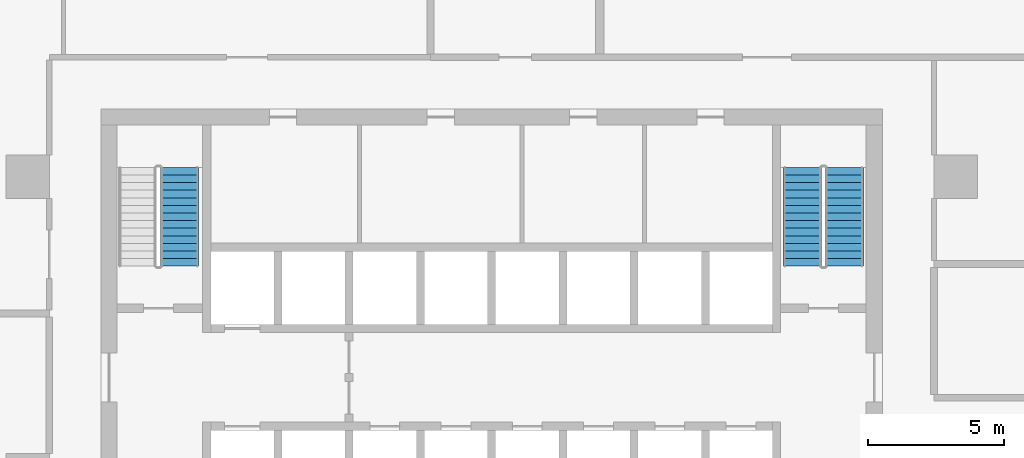
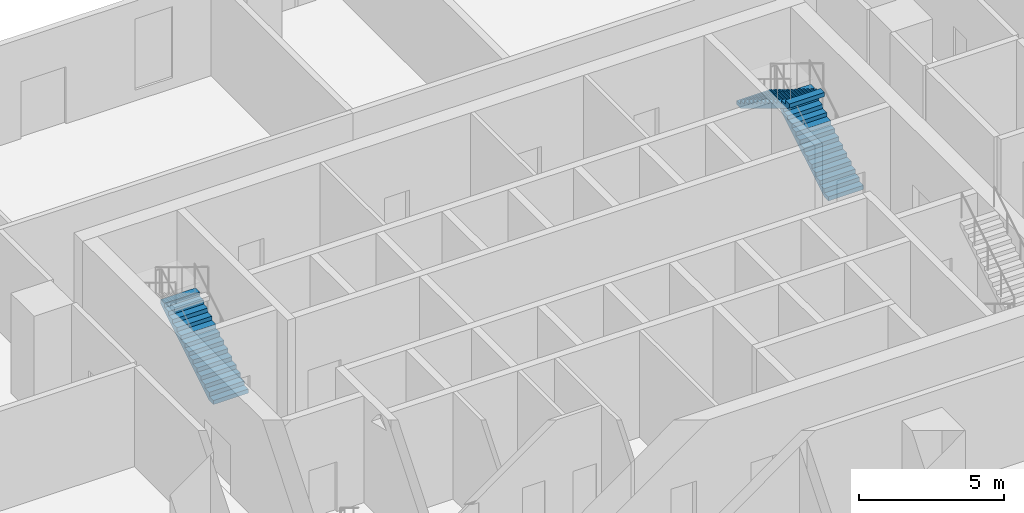
# One storey, part 11 of 15: 3 stair flights, 2 elements without a shape of their own.
"""IFC4 building model written with IfcOpenShell, lengths in metres."""

from ifc_helpers import new_model, si_unit, direction, frame, origin, place, context, subcontext, project, spatial, polyline, outline, extrude, material, type_object, element, aggregate, save


model = new_model("IFC4")

# Units and contexts
model_context = context("Model", 3, precision=1e-05, world=origin(), true_north=direction((0.0, 1.0)))
body_context = subcontext(model_context, "Body", "Model", "MODEL_VIEW")
ifc_project = project(units=[si_unit("LENGTHUNIT", "METRE"), si_unit("AREAUNIT", "SQUARE_METRE"), si_unit("VOLUMEUNIT", "CUBIC_METRE"), si_unit("PLANEANGLEUNIT", "RADIAN"), si_unit("MASSUNIT", "GRAM", prefix="KILO")], contexts=[model_context])

# Site, building, storey
site_placement = place(None, origin())
site = spatial("IfcSite", under=ifc_project, at=site_placement, CompositionType="ELEMENT")
building_placement = place(site_placement, origin())
building = spatial("IfcBuilding", under=site, at=building_placement, Name="Mopane Tessera Tower", CompositionType="ELEMENT")
storey_placement = place(building_placement, frame((0.0, 0.0, 83.800048828125)))
storey = spatial("IfcBuildingStorey", under=building, at=storey_placement, Name="L16", CompositionType="ELEMENT", Elevation=83.800048828125)

# Stair, stair flight
ifc_material_1 = material(Name="Concrete C50/60", Category="concrete")
stair_type = type_object("IfcStairType", Name="Escape stair 1400 mm, riser 171 mm", PredefinedType="HALF_TURN_STAIR", material=ifc_material_1)
stair_1_placement = place(storey_placement, origin())
stair_1 = element("IfcStair", 1, at=stair_1_placement, inside=storey, type_object=stair_type, Name="L16 Escape stair north-west", PredefinedType="HALF_TURN_STAIR")
ifc_material_2 = material(Name="Concrete C50/60", Category="concrete")
stair_flight_type = type_object("IfcStairFlightType", Name="Escape stair flight 1400 mm", PredefinedType="STRAIGHT", material=ifc_material_2)
stair_flight_1_placement = place(storey_placement, frame((-11.5, 7.699951171875, 0.0), z_axis=(0.0, 0.0, 1.0), x_axis=(0.0, 1.0, 0.0)))
stair_flight_1 = element("IfcStairFlight", 2, at=stair_flight_1_placement, type_object=stair_flight_type, Name="ST2 flight 1", NumberOfRisers=14, NumberOfTreads=13, PredefinedType="STRAIGHT", RiserHeight=0.171428571, TreadLength=0.28, context=body_context, shape_type="SweptSolid", body=[
    extrude(outline(polyline([(0.0, 0.0), (0.0, 0.17138671875), (0.280029296875, 0.17138671875), (0.280029296875, 0.3427734375), (0.56005859375, 0.3427734375), (0.56005859375, 0.514404296875), (0.840087890625, 0.514404296875), (0.840087890625, 0.685791015625), (1.1201171875, 0.685791015625), (1.1201171875, 0.857177734375), (1.39990234375, 0.857177734375), (1.39990234375, 1.028564453125), (1.679931640625, 1.028564453125), (1.679931640625, 1.199951171875), (1.9599609375, 1.199951171875), (1.9599609375, 1.371337890625), (2.239990234375, 1.371337890625), (2.239990234375, 1.54296875), (2.52001953125, 1.54296875), (2.52001953125, 1.71435546875), (2.800048828125, 1.71435546875), (2.800048828125, 1.8857421875), (3.080078125, 1.8857421875), (3.080078125, 2.05712890625), (3.360107421875, 2.05712890625), (3.360107421875, 2.228515625), (3.639892578125, 2.228515625), (3.639892578125, 2.39990234375), (3.639892578125, 2.052734375), (0.287109375, 0.0), (0.0, 0.0)])), frame((0.0, 0.699951171875, 0.0), z_axis=(0.0, -1.0, 0.0), x_axis=(1.0, 0.0, 0.0)), (0.0, 0.0, 1.0), 1.39990234375),
])
aggregate(stair_1, [stair_flight_1])

# Stair, stair flights
stair_2_placement = place(storey_placement, origin())
stair_2 = element("IfcStair", 3, at=stair_2_placement, inside=storey, type_object=stair_type, Name="L16 Escape stair north-east", PredefinedType="HALF_TURN_STAIR")
stair_flight_2_placement = place(storey_placement, frame((13.0, 7.699951171875, 0.0), z_axis=(0.0, 0.0, 1.0), x_axis=(0.0, 1.0, 0.0)))
stair_flight_2 = element("IfcStairFlight", 4, at=stair_flight_2_placement, type_object=stair_flight_type, Name="ST4 flight 1", NumberOfRisers=14, NumberOfTreads=13, PredefinedType="STRAIGHT", RiserHeight=0.171428571, TreadLength=0.28, context=body_context, shape_type="SweptSolid", body=[
    extrude(outline(polyline([(0.0, 0.0), (0.0, 0.17138671875), (0.280029296875, 0.17138671875), (0.280029296875, 0.3427734375), (0.56005859375, 0.3427734375), (0.56005859375, 0.514404296875), (0.840087890625, 0.514404296875), (0.840087890625, 0.685791015625), (1.1201171875, 0.685791015625), (1.1201171875, 0.857177734375), (1.39990234375, 0.857177734375), (1.39990234375, 1.028564453125), (1.679931640625, 1.028564453125), (1.679931640625, 1.199951171875), (1.9599609375, 1.199951171875), (1.9599609375, 1.371337890625), (2.239990234375, 1.371337890625), (2.239990234375, 1.54296875), (2.52001953125, 1.54296875), (2.52001953125, 1.71435546875), (2.800048828125, 1.71435546875), (2.800048828125, 1.8857421875), (3.080078125, 1.8857421875), (3.080078125, 2.05712890625), (3.360107421875, 2.05712890625), (3.360107421875, 2.228515625), (3.639892578125, 2.228515625), (3.639892578125, 2.39990234375), (3.639892578125, 2.052734375), (0.287109375, 0.0), (0.0, 0.0)])), frame((0.0, 0.699951171875, 0.0), z_axis=(0.0, -1.0, 0.0), x_axis=(1.0, 0.0, 0.0)), (0.0, 0.0, 1.0), 1.39990234375),
])
stair_flight_3_placement = place(storey_placement, frame((11.449951171875, 11.340087890625, 2.39990234375), z_axis=(0.0, 0.0, 1.0), x_axis=(0.0, -1.0, 0.0)))
stair_flight_3 = element("IfcStairFlight", 5, at=stair_flight_3_placement, type_object=stair_flight_type, Name="ST4 flight 2", NumberOfRisers=14, NumberOfTreads=13, PredefinedType="STRAIGHT", RiserHeight=0.171428571, TreadLength=0.28, context=body_context, shape_type="SweptSolid", body=[
    extrude(outline(polyline([(0.0, 0.0), (0.0, 0.17138671875), (0.280029296875, 0.17138671875), (0.280029296875, 0.3427734375), (0.56005859375, 0.3427734375), (0.56005859375, 0.514404296875), (0.840087890625, 0.514404296875), (0.840087890625, 0.685791015625), (1.1201171875, 0.685791015625), (1.1201171875, 0.857177734375), (1.39990234375, 0.857177734375), (1.39990234375, 1.028564453125), (1.679931640625, 1.028564453125), (1.679931640625, 1.199951171875), (1.9599609375, 1.199951171875), (1.9599609375, 1.371337890625), (2.239990234375, 1.371337890625), (2.239990234375, 1.54296875), (2.52001953125, 1.54296875), (2.52001953125, 1.71435546875), (2.800048828125, 1.71435546875), (2.800048828125, 1.8857421875), (3.080078125, 1.8857421875), (3.080078125, 2.05712890625), (3.360107421875, 2.05712890625), (3.360107421875, 2.228515625), (3.639892578125, 2.228515625), (3.639892578125, 2.39990234375), (3.639892578125, 2.052734375), (0.287109375, 0.0), (0.0, 0.0)])), frame((0.0, 0.699951171875, 0.0), z_axis=(0.0, -1.0, 0.0), x_axis=(1.0, 0.0, 0.0)), (0.0, 0.0, 1.0), 1.39990234375),
])
aggregate(stair_2, [stair_flight_2, stair_flight_3])

save(model, "model.ifc")
